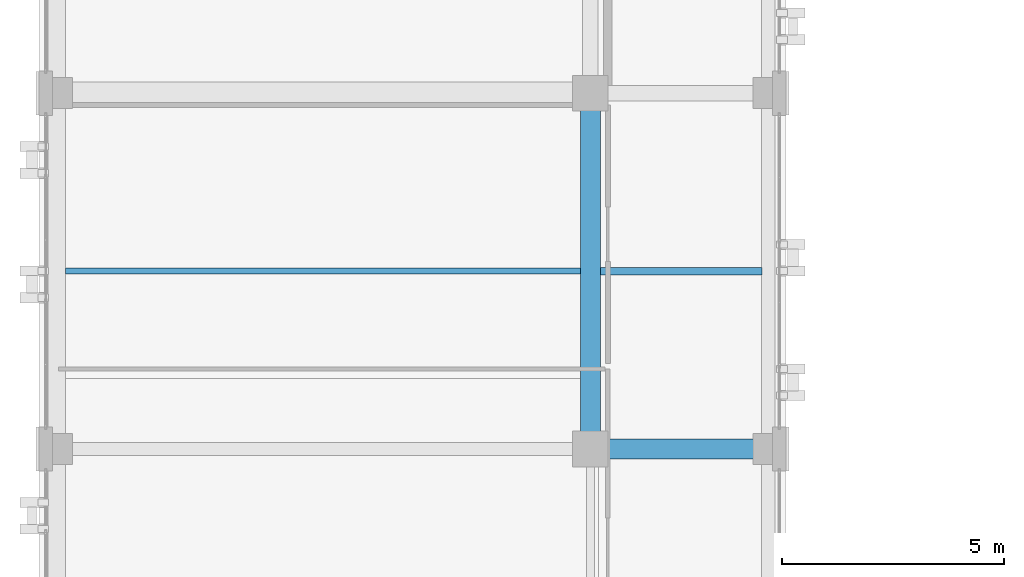
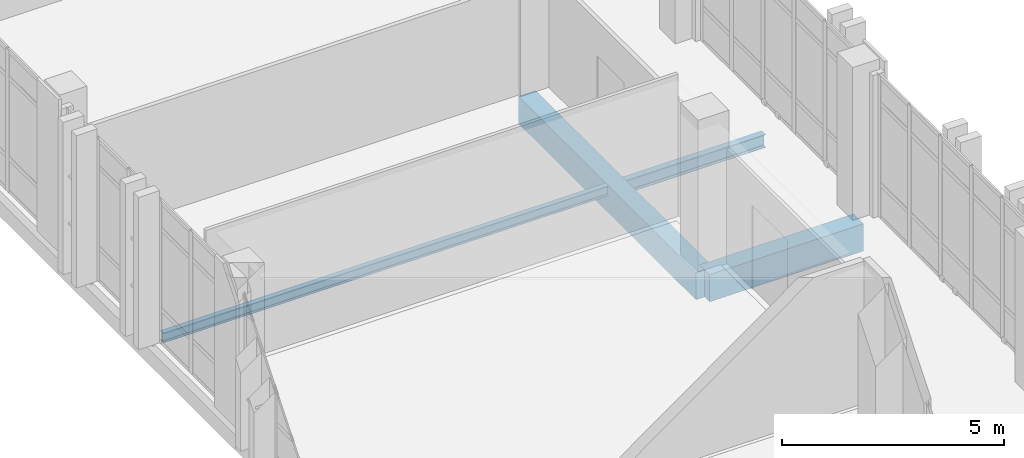
# One storey, part 71 of 193: 4 beams.
"""IFC4 building model written with IfcOpenShell, lengths in metres."""

from ifc_helpers import new_model, si_unit, direction, frame, origin, origin_2d, place, context, subcontext, project, spatial, rectangle, i_section, extrude, material, material_profile, profile_set, type_object, element, save


model = new_model("IFC4")

# Units and contexts
model_context = context("Model", 3, precision=1e-05, world=origin(), true_north=direction((0.0, 1.0)))
body_context = subcontext(model_context, "Body", "Model", "MODEL_VIEW")
ifc_project = project(units=[si_unit("LENGTHUNIT", "METRE"), si_unit("AREAUNIT", "SQUARE_METRE"), si_unit("VOLUMEUNIT", "CUBIC_METRE"), si_unit("PLANEANGLEUNIT", "RADIAN"), si_unit("MASSUNIT", "GRAM", prefix="KILO")], contexts=[model_context])

# Site, building, storey
site_placement = place(None, origin())
site = spatial("IfcSite", under=ifc_project, at=site_placement, CompositionType="ELEMENT")
building_placement = place(site_placement, origin())
building = spatial("IfcBuilding", under=site, at=building_placement, Name="Qalavern Law Courts", CompositionType="ELEMENT")
storey_placement = place(building_placement, frame((0.0, 0.0, 10.199951171875)))
storey = spatial("IfcBuildingStorey", under=building, at=storey_placement, Name="L02", CompositionType="ELEMENT", Elevation=10.199951171875)

# Beams
ifc_material_1 = material(Name="Concrete C40/50", Category="concrete")
ifc_material_profile_1 = material_profile(ifc_material_1, rectangle(XDim=0.449951171875, YDim=0.75, at=origin_2d()), Name="RC 450x750")
ifc_profile_set_1 = profile_set([ifc_material_profile_1], Name="Concrete C40/50")
beam_type_1 = type_object("IfcBeamType", Name="STR-BM-RC450x750", PredefinedType="BEAM", material=ifc_profile_set_1)
beam_1_placement = place(storey_placement, frame((14.39990234375, 65.39990234375, -0.6650390625), z_axis=(1.0, 0.0, 0.0), x_axis=(0.0, 1.0, 0.0)))
element("IfcBeam", 1, at=beam_1_placement, inside=storey, type_object=beam_type_1, Name="V3 X-beam 4-2 L02", PredefinedType="BEAM", context=body_context, shape_type="SweptSolid", body=[
    extrude(rectangle(XDim=0.449951171875, YDim=0.75, at=origin_2d()), origin(), (0.0, 0.0, 1.0), 4.0),
])
beam_2_placement = place(storey_placement, frame((14.39990234375, 65.39990234375, -0.6650390625), z_axis=(0.0, 1.0, 0.0), x_axis=(-1.0, 0.0, 0.0)))
element("IfcBeam", 2, at=beam_2_placement, inside=storey, type_object=beam_type_1, Name="V3 Y-beam 2-4 L02", PredefinedType="BEAM", context=body_context, shape_type="SweptSolid", body=[
    extrude(rectangle(XDim=0.449951171875, YDim=0.75, at=origin_2d()), origin(), (0.0, 0.0, 1.0), 8.0),
])
ifc_material_2 = material(Name="Steel S355", Category="steel")
ifc_material_profile_2 = material_profile(ifc_material_2, i_section(OverallWidth=0.135009765625, OverallDepth=0.27001953125, WebThickness=0.006591796875, FlangeThickness=0.01025390625, FilletRadius=0.014892578125, at=origin_2d()), Name="IPE 270")
ifc_profile_set_2 = profile_set([ifc_material_profile_2], Name="Steel S355")
beam_type_2 = type_object("IfcBeamType", Name="STR-JST-IPE270", PredefinedType="JOIST", material=ifc_profile_set_2)
beam_3_placement = place(storey_placement, frame((2.597900390625, 69.39990234375, -0.425048828125), z_axis=(1.0, 0.0, 0.0), x_axis=(0.0, 1.0, 0.0)))
element("IfcBeam", 3, at=beam_3_placement, inside=storey, type_object=beam_type_2, Name="V3 secondary joist 1.4.1 L02", PredefinedType="JOIST", context=body_context, shape_type="SweptSolid", body=[
    extrude(i_section(OverallWidth=0.135009765625, OverallDepth=0.27001953125, WebThickness=0.006591796875, FlangeThickness=0.01025390625, FilletRadius=0.014892578125, at=origin_2d()), origin(), (0.0, 0.0, 1.0), 11.5791015625),
])
ifc_material_profile_3 = material_profile(ifc_material_2, i_section(OverallWidth=0.169921875, OverallDepth=0.360107421875, WebThickness=0.008056640625, FlangeThickness=0.0126953125, FilletRadius=0.01806640625, at=origin_2d()), Name="IPE 360")
ifc_profile_set_3 = profile_set([ifc_material_profile_3], Name="Steel S355")
beam_type_3 = type_object("IfcBeamType", Name="STR-JST-IPE360", PredefinedType="JOIST", material=ifc_profile_set_3)
beam_4_placement = place(storey_placement, frame((14.623046875, 69.39990234375, -0.469970703125), z_axis=(1.0, 0.0, 0.0), x_axis=(0.0, 1.0, 0.0)))
element("IfcBeam", 4, at=beam_4_placement, inside=storey, type_object=beam_type_3, Name="V3 secondary joist 2.4.1 L02", PredefinedType="JOIST", context=body_context, shape_type="SweptSolid", body=[
    extrude(i_section(OverallWidth=0.169921875, OverallDepth=0.360107421875, WebThickness=0.008056640625, FlangeThickness=0.0126953125, FilletRadius=0.01806640625, at=origin_2d()), origin(), (0.0, 0.0, 1.0), 3.62890625),
])

save(model, "model.ifc")
